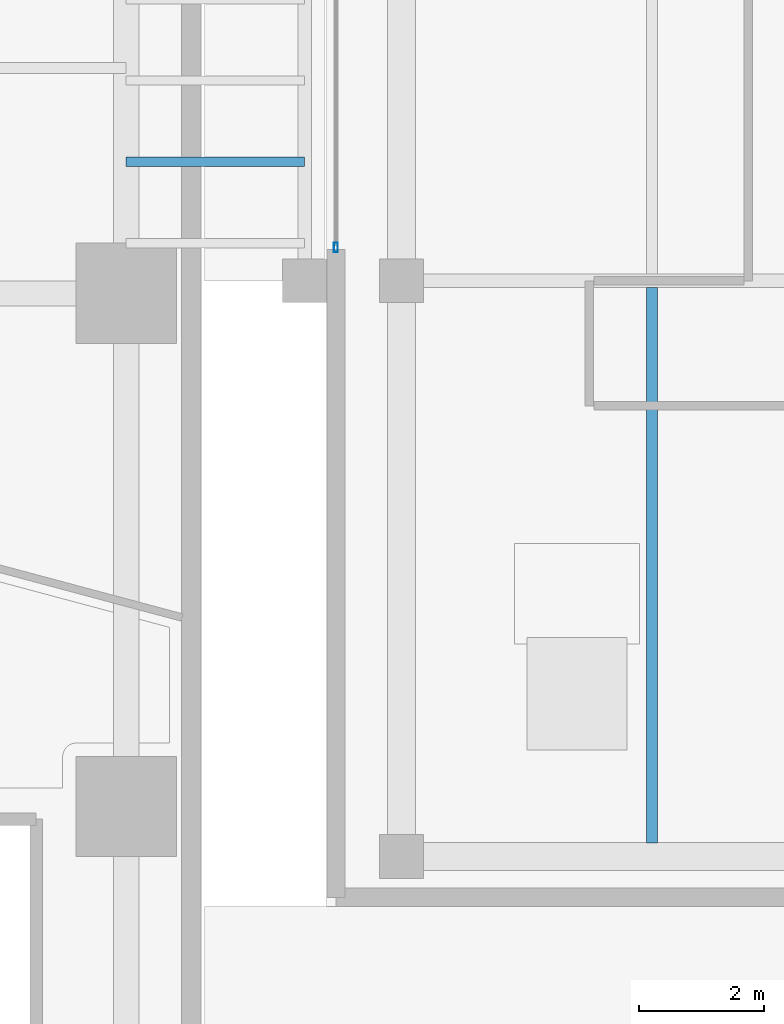
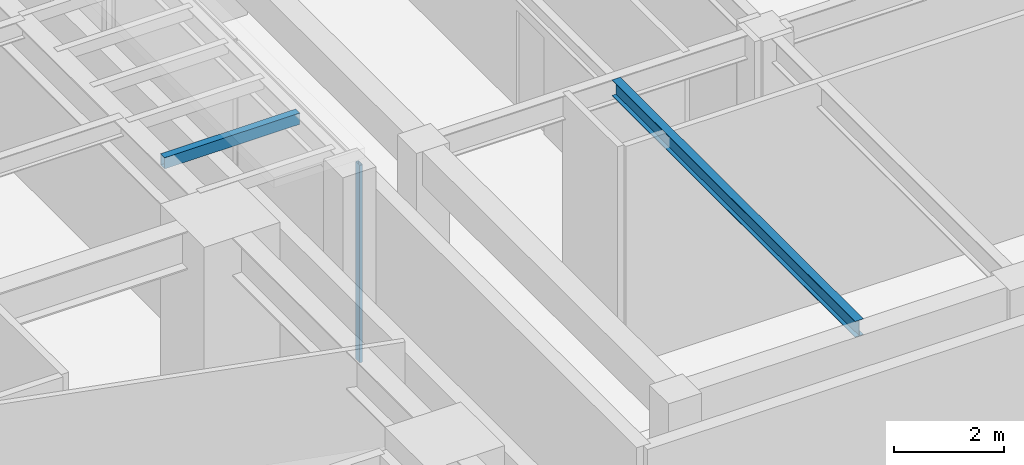
# One storey, part 7 of 28: 2 members, 1 beam, 1 element without a shape of its own.
"""IFC4 building model written with IfcOpenShell, lengths in metres."""

from ifc_helpers import new_model, si_unit, direction, frame, origin, origin_2d, place, context, subcontext, project, spatial, hollow_rectangle, i_section, extrude, source, transform, mapped, material, layer, layer_set, material_profile, profile_set, type_object, type_shapes, element, aggregate, save


model = new_model("IFC4")

# Units and contexts
model_context = context("Model", 3, precision=1e-05, world=origin(), true_north=direction((0.0, 1.0)))
body_context = subcontext(model_context, "Body", "Model", "MODEL_VIEW")
ifc_project = project(units=[si_unit("LENGTHUNIT", "METRE"), si_unit("AREAUNIT", "SQUARE_METRE"), si_unit("VOLUMEUNIT", "CUBIC_METRE"), si_unit("PLANEANGLEUNIT", "RADIAN"), si_unit("MASSUNIT", "GRAM", prefix="KILO")], contexts=[model_context])

# Site, building, storey
site_placement = place(None, origin())
site = spatial("IfcSite", under=ifc_project, at=site_placement, CompositionType="ELEMENT")
building_placement = place(site_placement, origin())
building = spatial("IfcBuilding", under=site, at=building_placement, Name="Talar Marvaseh", CompositionType="ELEMENT")
storey_placement = place(building_placement, origin())
storey = spatial("IfcBuildingStorey", under=building, at=storey_placement, Name="L00", CompositionType="ELEMENT", Elevation=0.0)

# Beam
ifc_material_1 = material(Name="Steel S355", Category="steel")
ifc_material_profile_1 = material_profile(ifc_material_1, i_section(OverallWidth=0.172119140625, OverallDepth=0.35791015625, WebThickness=0.0078125, FlangeThickness=0.01318359375, at=origin_2d()), Name="W360x57")
ifc_profile_set_1 = profile_set([ifc_material_profile_1], Name="Steel S355")
beam_type = type_object("IfcBeamType", Name="Zone 2 Secondary Floor Joist W360x57", PredefinedType="JOIST", material=ifc_profile_set_1)
beam_placement = place(storey_placement, frame((59.199951171875, 17.02001953125, 4.720947265625), z_axis=(0.0, 1.0, 0.0), x_axis=(-1.0, 0.0, 0.0)))
element("IfcBeam", 1, at=beam_placement, inside=storey, type_object=beam_type, Name="L00 Zone 2 Secondary Floor Joist W360x57", PredefinedType="JOIST", context=body_context, shape_type="SweptSolid", body=[
    extrude(i_section(OverallWidth=0.172119140625, OverallDepth=0.35791015625, WebThickness=0.0078125, FlangeThickness=0.01318359375, at=origin_2d()), origin(), (0.0, 0.0, 1.0), 8.875),
])

# Member
ifc_material_profile_2 = material_profile(ifc_material_1, hollow_rectangle(XDim=0.14990234375, YDim=0.25, WallThickness=0.010009765625, at=origin_2d()), Name="RHS250x150x10")
ifc_profile_set_2 = profile_set([ifc_material_profile_2], Name="Steel S355")
member_type_1 = type_object("IfcMemberType", Name="Movement Joint PTFE Elastomeric Sliding Bearing", PredefinedType="USERDEFINED", material=ifc_profile_set_2)
shared_shape_1 = source(origin(), body_context, "Body", "SweptSolid", [
    extrude(hollow_rectangle(XDim=0.14990234375, YDim=0.25, WallThickness=0.010009765625, at=origin_2d()), origin(), (0.0, 0.0, 1.0), 2.849853515625),
])
type_shapes(member_type_1, [shared_shape_1])
member_1_placement = place(storey_placement, frame((50.800048828125, 27.89990234375, 4.780029296875), z_axis=(1.0, 0.0, 0.0), x_axis=(0.0, 1.0, 0.0)))
element("IfcMember", 2, at=member_1_placement, inside=storey, type_object=member_type_1, Name="L00 Movement Joint PTFE Sliding Bearing 2", ObjectType="BEARING", PredefinedType="USERDEFINED", context=body_context, shape_type="MappedRepresentation", body=[
    mapped(shared_shape_1, transform((0.0, 0.0, 0.0), x_axis=(1.0, 0.0, 0.0), y_axis=(0.0, 1.0, 0.0), z_axis=(0.0, 0.0, 1.0), scale=1.0)),
])

# Curtain wall, member
ifc_material_2 = material(Name="Architectural Aluminium", Category="aluminium")
ifc_layer = layer(ifc_material_2, 0.169921875)
ifc_layer_set = layer_set([ifc_layer], Name="Architectural Aluminium")
curtain_wall_type = type_object("IfcCurtainWallType", Name="Market Hall Clerestory and Courtyard Curtain Wall", PredefinedType="NOTDEFINED", material=ifc_layer_set)
curtain_wall_placement = place(storey_placement, origin())
curtain_wall = element("IfcCurtainWall", 3, at=curtain_wall_placement, inside=storey, type_object=curtain_wall_type, Name="L00 Market Hall Clerestory and Courtyard Curtain Wall", PredefinedType="NOTDEFINED")
ifc_material_profile_3 = material_profile(ifc_material_2, hollow_rectangle(XDim=0.06494140625, YDim=0.14990234375, WallThickness=0.00390625, at=origin_2d()), Name="RHS150x65x4")
ifc_profile_set_3 = profile_set([ifc_material_profile_3], Name="Architectural Aluminium")
member_type_2 = type_object("IfcMemberType", Name="Unitised Curtain Wall Slim Mullion RHS150x65x4", PredefinedType="MULLION", material=ifc_profile_set_3)
shared_shape_2 = source(origin(), body_context, "Body", "SweptSolid", [
    extrude(hollow_rectangle(XDim=0.06494140625, YDim=0.14990234375, WallThickness=0.00390625, at=origin_2d()), origin(), (0.0, 0.0, 1.0), 4.39990234375),
])
type_shapes(member_type_2, [shared_shape_2])
member_2_placement = place(storey_placement, frame((54.14990234375, 26.532470703125, 0.0), z_axis=(0.0, 0.0, 1.0), x_axis=(-1.0, 0.0, 0.0)))
member_2 = element("IfcMember", 4, at=member_2_placement, type_object=member_type_2, Name="CW-MKT mullion 1", PredefinedType="MULLION", context=body_context, shape_type="MappedRepresentation", body=[
    mapped(shared_shape_2, transform((0.0, 0.0, 0.0), x_axis=(1.0, 0.0, 0.0), y_axis=(0.0, 1.0, 0.0), z_axis=(0.0, 0.0, 1.0), scale=1.0)),
])
aggregate(curtain_wall, [member_2])

save(model, "model.ifc")
